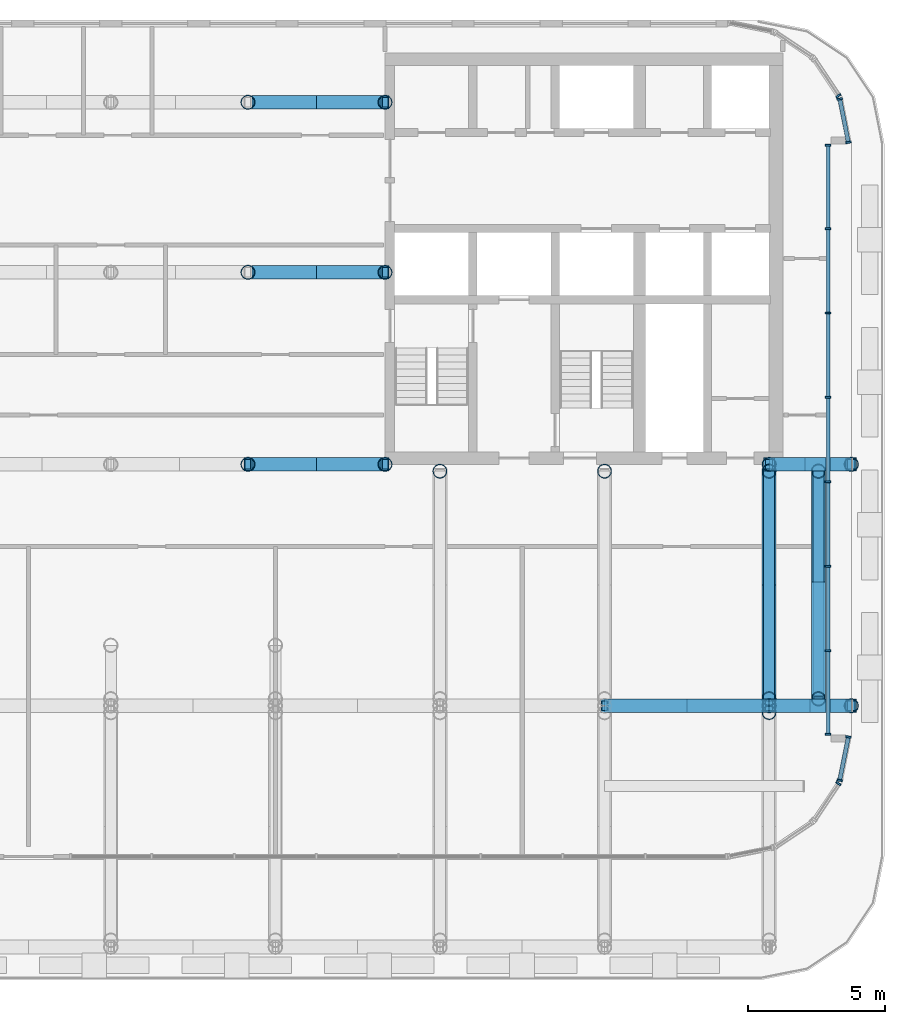
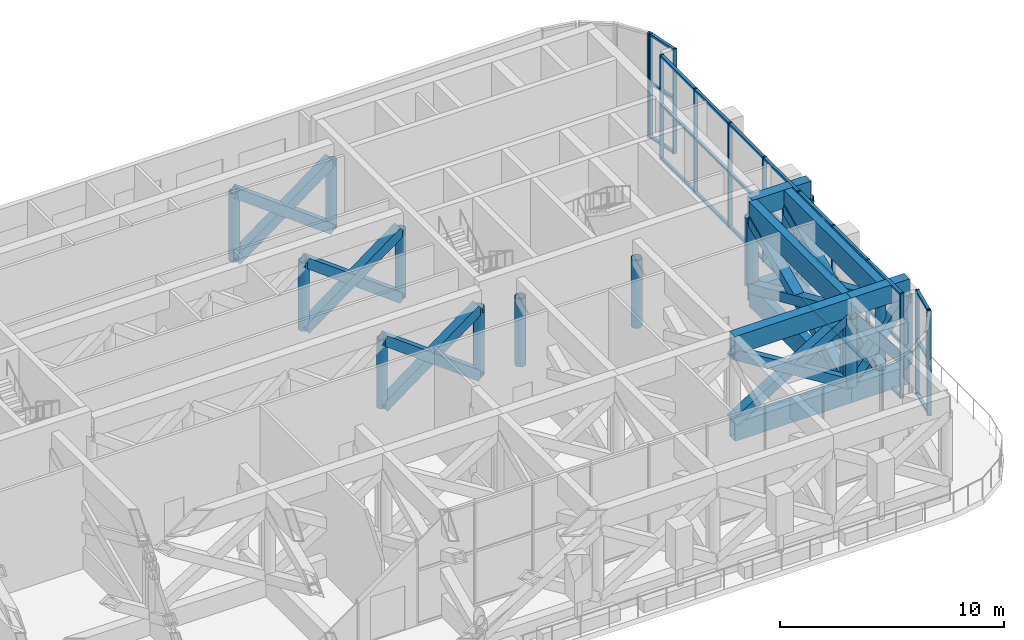
# One storey, part 5 of 20: 74 members, 10 beams, 5 elements without a shape of their own.
"""IFC4 building model written with IfcOpenShell, lengths in metres."""

from ifc_helpers import new_model, si_unit, direction, frame, origin, origin_2d, place, context, subcontext, project, spatial, rectangle, hollow_rectangle, hollow_circle, extrude, material, layer, layer_set, material_profile, profile_set, type_object, element, aggregate, save


model = new_model("IFC4")

# Units and contexts
model_context = context("Model", 3, precision=1e-05, world=origin(), true_north=direction((0.0, 1.0)))
body_context = subcontext(model_context, "Body", "Model", "MODEL_VIEW")
ifc_project = project(units=[si_unit("LENGTHUNIT", "METRE"), si_unit("AREAUNIT", "SQUARE_METRE"), si_unit("VOLUMEUNIT", "CUBIC_METRE"), si_unit("PLANEANGLEUNIT", "RADIAN"), si_unit("MASSUNIT", "GRAM", prefix="KILO")], contexts=[model_context])

# Site, building, storey
site_placement = place(None, origin())
site = spatial("IfcSite", under=ifc_project, at=site_placement, CompositionType="ELEMENT")
building_placement = place(site_placement, origin())
building = spatial("IfcBuilding", under=site, at=building_placement, Name="Torana Hotel and Residences", CompositionType="ELEMENT")
storey_placement = place(building_placement, frame((0.0, 0.0, 177.60009765625)))
storey = spatial("IfcBuildingStorey", under=building, at=storey_placement, Name="L46", CompositionType="ELEMENT", Elevation=177.60009765625)

# Curtain wall, members
ifc_material_1 = material(Name="Dark anodised aluminium", Category="aluminium")
ifc_layer = layer(ifc_material_1, 0.199951171875)
ifc_layer_set = layer_set([ifc_layer], Name="CW2 SKY LOBBY UNITISED CURTAIN WALL")
curtain_wall_type = type_object("IfcCurtainWallType", Name="CW2 SKY LOBBY UNITISED CURTAIN WALL", PredefinedType="NOTDEFINED", material=ifc_layer_set)
curtain_wall_1_placement = place(storey_placement, origin())
curtain_wall_1 = element("IfcCurtainWall", 1, at=curtain_wall_1_placement, inside=storey, type_object=curtain_wall_type, Name="Curtain wall CW2 L46 e0.0-1", PredefinedType="NOTDEFINED")
ifc_material_2 = material(Name="Dark anodised aluminium", Category="aluminium")
ifc_material_profile_1 = material_profile(ifc_material_2, rectangle(XDim=0.199951171875, YDim=0.070068359375, at=origin_2d()), Name="CW2 MULLION 70x200")
ifc_profile_set_1 = profile_set([ifc_material_profile_1], Name="Dark anodised aluminium")
member_type_1 = type_object("IfcMemberType", Name="CW2 MULLION 70x200", PredefinedType="MULLION", material=ifc_profile_set_1)
member_1_placement = place(storey_placement, frame((26.890380859375, -3.260986328125, 0.0), z_axis=(0.0, 0.0, 1.0), x_axis=(-0.980790545928, -0.195063848566, 0.0)))
member_1 = element("IfcMember", 2, at=member_1_placement, type_object=member_type_1, Name="CW2 mullion 1", PredefinedType="MULLION", context=body_context, shape_type="SweptSolid", body=[
    extrude(rectangle(XDim=0.199951171875, YDim=0.070068359375, at=origin_2d()), origin(), (0.0, 0.0, 1.0), 5.719970703125),
])
member_2_placement = place(storey_placement, frame((26.575927734375, -1.680419921875, 0.0), z_axis=(0.0, 0.0, 1.0), x_axis=(-0.980790545928, -0.195063848566, 0.0)))
member_2 = element("IfcMember", 3, at=member_2_placement, type_object=member_type_1, Name="CW2 mullion 2", PredefinedType="MULLION", context=body_context, shape_type="SweptSolid", body=[
    extrude(rectangle(XDim=0.199951171875, YDim=0.070068359375, at=origin_2d()), origin(), (0.0, 0.0, 1.0), 5.719970703125),
])

# Curtain wall, member
curtain_wall_2_placement = place(storey_placement, origin())
curtain_wall_2 = element("IfcCurtainWall", 4, at=curtain_wall_2_placement, inside=storey, type_object=curtain_wall_type, Name="Curtain wall CW2 L46 e0.1-1", PredefinedType="NOTDEFINED")
member_3_placement = place(storey_placement, frame((26.52734375, -1.56298828125, 0.0), z_axis=(0.0, 0.0, 1.0), x_axis=(-0.831473968618, -0.555563713278, 0.0)))
member_3 = element("IfcMember", 5, at=member_3_placement, type_object=member_type_1, Name="CW2 mullion 1", PredefinedType="MULLION", context=body_context, shape_type="SweptSolid", body=[
    extrude(rectangle(XDim=0.199951171875, YDim=0.070068359375, at=origin_2d()), origin(), (0.0, 0.0, 1.0), 5.719970703125),
])
aggregate(curtain_wall_2, [member_3])

curtain_wall_3_placement = place(storey_placement, origin())
curtain_wall_3 = element("IfcCurtainWall", 6, at=curtain_wall_3_placement, inside=storey, type_object=curtain_wall_type, Name="Curtain wall CW2 L46 e0.17-1", PredefinedType="NOTDEFINED")
member_4_placement = place(storey_placement, frame((26.52734375, -26.636962890625, 0.0), z_axis=(0.0, 0.0, 1.0), x_axis=(-0.831473968618, 0.555563713278, 0.0)))
member_4 = element("IfcMember", 7, at=member_4_placement, type_object=member_type_1, Name="CW2 mullion 2", PredefinedType="MULLION", context=body_context, shape_type="SweptSolid", body=[
    extrude(rectangle(XDim=0.199951171875, YDim=0.070068359375, at=origin_2d()), origin(), (0.0, 0.0, 1.0), 5.719970703125),
])
aggregate(curtain_wall_3, [member_4])

# Curtain wall, members
curtain_wall_4_placement = place(storey_placement, origin())
curtain_wall_4 = element("IfcCurtainWall", 8, at=curtain_wall_4_placement, inside=storey, type_object=curtain_wall_type, Name="Curtain wall CW2 L46 e0.18-1", PredefinedType="NOTDEFINED")
member_5_placement = place(storey_placement, frame((26.575927734375, -26.51953125, 0.0), z_axis=(0.0, 0.0, 1.0), x_axis=(-0.980790545928, 0.195063848566, 0.0)))
member_5 = element("IfcMember", 9, at=member_5_placement, type_object=member_type_1, Name="CW2 mullion 1", PredefinedType="MULLION", context=body_context, shape_type="SweptSolid", body=[
    extrude(rectangle(XDim=0.199951171875, YDim=0.070068359375, at=origin_2d()), origin(), (0.0, 0.0, 1.0), 5.719970703125),
])
member_6_placement = place(storey_placement, frame((26.890380859375, -24.93896484375, 0.0), z_axis=(0.0, 0.0, 1.0), x_axis=(-0.980790545928, 0.195063848566, 0.0)))
member_6 = element("IfcMember", 10, at=member_6_placement, type_object=member_type_1, Name="CW2 mullion 2", PredefinedType="MULLION", context=body_context, shape_type="SweptSolid", body=[
    extrude(rectangle(XDim=0.199951171875, YDim=0.070068359375, at=origin_2d()), origin(), (0.0, 0.0, 1.0), 5.719970703125),
])

curtain_wall_5_placement = place(storey_placement, origin())
curtain_wall_5 = element("IfcCurtainWall", 11, at=curtain_wall_5_placement, inside=storey, type_object=curtain_wall_type, Name="Curtain wall CW2 L46 e0.19-1", PredefinedType="NOTDEFINED")
member_7_placement = place(storey_placement, frame((26.155029296875, -24.84033203125, 0.0), z_axis=(0.0, 0.0, 1.0), x_axis=(-1.0, 0.0, 0.0)))
member_7 = element("IfcMember", 12, at=member_7_placement, type_object=member_type_1, Name="CW2 mullion 1", PredefinedType="MULLION", context=body_context, shape_type="SweptSolid", body=[
    extrude(rectangle(XDim=0.199951171875, YDim=0.070068359375, at=origin_2d()), origin(), (0.0, 0.0, 1.0), 5.719970703125),
])
member_8_placement = place(storey_placement, frame((26.155029296875, -21.796630859375, 0.0), z_axis=(0.0, 0.0, 1.0), x_axis=(-1.0, 0.0, 0.0)))
member_8 = element("IfcMember", 13, at=member_8_placement, type_object=member_type_1, Name="CW2 mullion 2", PredefinedType="MULLION", context=body_context, shape_type="SweptSolid", body=[
    extrude(rectangle(XDim=0.199951171875, YDim=0.070068359375, at=origin_2d()), origin(), (0.0, 0.0, 1.0), 5.719970703125),
])
member_9_placement = place(storey_placement, frame((26.155029296875, -18.718017578125, 0.0), z_axis=(0.0, 0.0, 1.0), x_axis=(-1.0, 0.0, 0.0)))
member_9 = element("IfcMember", 14, at=member_9_placement, type_object=member_type_1, Name="CW2 mullion 3", PredefinedType="MULLION", context=body_context, shape_type="SweptSolid", body=[
    extrude(rectangle(XDim=0.199951171875, YDim=0.070068359375, at=origin_2d()), origin(), (0.0, 0.0, 1.0), 5.719970703125),
])
member_10_placement = place(storey_placement, frame((26.155029296875, -15.639404296875, 0.0), z_axis=(0.0, 0.0, 1.0), x_axis=(-1.0, 0.0, 0.0)))
member_10 = element("IfcMember", 15, at=member_10_placement, type_object=member_type_1, Name="CW2 mullion 4", PredefinedType="MULLION", context=body_context, shape_type="SweptSolid", body=[
    extrude(rectangle(XDim=0.199951171875, YDim=0.070068359375, at=origin_2d()), origin(), (0.0, 0.0, 1.0), 5.719970703125),
])
member_11_placement = place(storey_placement, frame((26.155029296875, -12.560546875, 0.0), z_axis=(0.0, 0.0, 1.0), x_axis=(-1.0, 0.0, 0.0)))
member_11 = element("IfcMember", 16, at=member_11_placement, type_object=member_type_1, Name="CW2 mullion 5", PredefinedType="MULLION", context=body_context, shape_type="SweptSolid", body=[
    extrude(rectangle(XDim=0.199951171875, YDim=0.070068359375, at=origin_2d()), origin(), (0.0, 0.0, 1.0), 5.719970703125),
])
member_12_placement = place(storey_placement, frame((26.155029296875, -9.48193359375, 0.0), z_axis=(0.0, 0.0, 1.0), x_axis=(-1.0, 0.0, 0.0)))
member_12 = element("IfcMember", 17, at=member_12_placement, type_object=member_type_1, Name="CW2 mullion 6", PredefinedType="MULLION", context=body_context, shape_type="SweptSolid", body=[
    extrude(rectangle(XDim=0.199951171875, YDim=0.070068359375, at=origin_2d()), origin(), (0.0, 0.0, 1.0), 5.719970703125),
])
member_13_placement = place(storey_placement, frame((26.155029296875, -6.4033203125, 0.0), z_axis=(0.0, 0.0, 1.0), x_axis=(-1.0, 0.0, 0.0)))
member_13 = element("IfcMember", 18, at=member_13_placement, type_object=member_type_1, Name="CW2 mullion 7", PredefinedType="MULLION", context=body_context, shape_type="SweptSolid", body=[
    extrude(rectangle(XDim=0.199951171875, YDim=0.070068359375, at=origin_2d()), origin(), (0.0, 0.0, 1.0), 5.719970703125),
])
member_14_placement = place(storey_placement, frame((26.155029296875, -3.359619140625, 0.0), z_axis=(0.0, 0.0, 1.0), x_axis=(-1.0, 0.0, 0.0)))
member_14 = element("IfcMember", 19, at=member_14_placement, type_object=member_type_1, Name="CW2 mullion 8", PredefinedType="MULLION", context=body_context, shape_type="SweptSolid", body=[
    extrude(rectangle(XDim=0.199951171875, YDim=0.070068359375, at=origin_2d()), origin(), (0.0, 0.0, 1.0), 5.719970703125),
])

# Member
ifc_material_3 = material(Name="Dark anodised aluminium", Category="aluminium")
ifc_material_profile_2 = material_profile(ifc_material_3, rectangle(XDim=0.14990234375, YDim=0.1201171875, at=origin_2d()), Name="CW2 TRANSOM 150x120")
ifc_profile_set_2 = profile_set([ifc_material_profile_2], Name="Dark anodised aluminium")
member_type_2 = type_object("IfcMemberType", Name="CW2 TRANSOM 150x120", PredefinedType="USERDEFINED", material=ifc_profile_set_2)
member_15_placement = place(storey_placement, frame((26.883544921875, -3.226806640625, 0.059814453125), z_axis=(-0.19511099609, 0.980781167848, 0.0), x_axis=(-0.980781167848, -0.19511099609, 0.0)))
member_15 = element("IfcMember", 20, at=member_15_placement, type_object=member_type_2, Name="CW2 transom 1.1", ObjectType="TRANSOM", PredefinedType="USERDEFINED", context=body_context, shape_type="SweptSolid", body=[
    extrude(rectangle(XDim=0.14990234375, YDim=0.1201171875, at=origin_2d()), origin(), (0.0, 0.0, 1.0), 1.54150390625),
])

member_16_placement = place(storey_placement, frame((26.883544921875, -3.226806640625, 3.0), z_axis=(-0.19511099609, 0.980781167848, 0.0), x_axis=(-0.980781167848, -0.19511099609, 0.0)))
member_16 = element("IfcMember", 21, at=member_16_placement, type_object=member_type_2, Name="CW2 transom 1.2", ObjectType="TRANSOM", PredefinedType="USERDEFINED", context=body_context, shape_type="SweptSolid", body=[
    extrude(rectangle(XDim=0.14990234375, YDim=0.1201171875, at=origin_2d()), origin(), (0.0, 0.0, 1.0), 1.54150390625),
])

member_17_placement = place(storey_placement, frame((26.883544921875, -3.226806640625, 5.659912109375), z_axis=(-0.19511099609, 0.980781167848, 0.0), x_axis=(-0.980781167848, -0.19511099609, 0.0)))
member_17 = element("IfcMember", 22, at=member_17_placement, type_object=member_type_2, Name="CW2 transom 1.3", ObjectType="TRANSOM", PredefinedType="USERDEFINED", context=body_context, shape_type="SweptSolid", body=[
    extrude(rectangle(XDim=0.14990234375, YDim=0.1201171875, at=origin_2d()), origin(), (0.0, 0.0, 1.0), 1.54150390625),
])

aggregate(curtain_wall_1, [member_1, member_2, member_15, member_16, member_17])

member_18_placement = place(storey_placement, frame((26.582763671875, -26.485107421875, 0.059814453125), z_axis=(0.19511099609, 0.980781167848, 0.0), x_axis=(-0.980781167848, 0.19511099609, 0.0)))
member_18 = element("IfcMember", 23, at=member_18_placement, type_object=member_type_2, Name="CW2 transom 1.1", ObjectType="TRANSOM", PredefinedType="USERDEFINED", context=body_context, shape_type="SweptSolid", body=[
    extrude(rectangle(XDim=0.14990234375, YDim=0.1201171875, at=origin_2d()), origin(), (0.0, 0.0, 1.0), 1.54150390625),
])

member_19_placement = place(storey_placement, frame((26.582763671875, -26.485107421875, 3.0), z_axis=(0.19511099609, 0.980781167848, 0.0), x_axis=(-0.980781167848, 0.19511099609, 0.0)))
member_19 = element("IfcMember", 24, at=member_19_placement, type_object=member_type_2, Name="CW2 transom 1.2", ObjectType="TRANSOM", PredefinedType="USERDEFINED", context=body_context, shape_type="SweptSolid", body=[
    extrude(rectangle(XDim=0.14990234375, YDim=0.1201171875, at=origin_2d()), origin(), (0.0, 0.0, 1.0), 1.54150390625),
])

member_20_placement = place(storey_placement, frame((26.582763671875, -26.485107421875, 5.659912109375), z_axis=(0.19511099609, 0.980781167848, 0.0), x_axis=(-0.980781167848, 0.19511099609, 0.0)))
member_20 = element("IfcMember", 25, at=member_20_placement, type_object=member_type_2, Name="CW2 transom 1.3", ObjectType="TRANSOM", PredefinedType="USERDEFINED", context=body_context, shape_type="SweptSolid", body=[
    extrude(rectangle(XDim=0.14990234375, YDim=0.1201171875, at=origin_2d()), origin(), (0.0, 0.0, 1.0), 1.54150390625),
])

aggregate(curtain_wall_4, [member_5, member_6, member_18, member_19, member_20])

member_21_placement = place(storey_placement, frame((26.155029296875, -24.805419921875, 0.059814453125), z_axis=(0.0, 1.0, 0.0), x_axis=(-1.0, 0.0, 0.0)))
member_21 = element("IfcMember", 26, at=member_21_placement, type_object=member_type_2, Name="CW2 transom 1.1", ObjectType="TRANSOM", PredefinedType="USERDEFINED", context=body_context, shape_type="SweptSolid", body=[
    extrude(rectangle(XDim=0.14990234375, YDim=0.1201171875, at=origin_2d()), origin(), (0.0, 0.0, 1.0), 2.9736328125),
])

member_22_placement = place(storey_placement, frame((26.155029296875, -24.805419921875, 3.0), z_axis=(0.0, 1.0, 0.0), x_axis=(-1.0, 0.0, 0.0)))
member_22 = element("IfcMember", 27, at=member_22_placement, type_object=member_type_2, Name="CW2 transom 1.2", ObjectType="TRANSOM", PredefinedType="USERDEFINED", context=body_context, shape_type="SweptSolid", body=[
    extrude(rectangle(XDim=0.14990234375, YDim=0.1201171875, at=origin_2d()), origin(), (0.0, 0.0, 1.0), 2.9736328125),
])

member_23_placement = place(storey_placement, frame((26.155029296875, -24.805419921875, 5.659912109375), z_axis=(0.0, 1.0, 0.0), x_axis=(-1.0, 0.0, 0.0)))
member_23 = element("IfcMember", 28, at=member_23_placement, type_object=member_type_2, Name="CW2 transom 1.3", ObjectType="TRANSOM", PredefinedType="USERDEFINED", context=body_context, shape_type="SweptSolid", body=[
    extrude(rectangle(XDim=0.14990234375, YDim=0.1201171875, at=origin_2d()), origin(), (0.0, 0.0, 1.0), 2.9736328125),
])

member_24_placement = place(storey_placement, frame((26.155029296875, -21.76171875, 0.059814453125), z_axis=(0.0, 1.0, 0.0), x_axis=(-1.0, 0.0, 0.0)))
member_24 = element("IfcMember", 29, at=member_24_placement, type_object=member_type_2, Name="CW2 transom 2.1", ObjectType="TRANSOM", PredefinedType="USERDEFINED", context=body_context, shape_type="SweptSolid", body=[
    extrude(rectangle(XDim=0.14990234375, YDim=0.1201171875, at=origin_2d()), origin(), (0.0, 0.0, 1.0), 3.0087890625),
])

member_25_placement = place(storey_placement, frame((26.155029296875, -21.76171875, 3.0), z_axis=(0.0, 1.0, 0.0), x_axis=(-1.0, 0.0, 0.0)))
member_25 = element("IfcMember", 30, at=member_25_placement, type_object=member_type_2, Name="CW2 transom 2.2", ObjectType="TRANSOM", PredefinedType="USERDEFINED", context=body_context, shape_type="SweptSolid", body=[
    extrude(rectangle(XDim=0.14990234375, YDim=0.1201171875, at=origin_2d()), origin(), (0.0, 0.0, 1.0), 3.0087890625),
])

member_26_placement = place(storey_placement, frame((26.155029296875, -21.76171875, 5.659912109375), z_axis=(0.0, 1.0, 0.0), x_axis=(-1.0, 0.0, 0.0)))
member_26 = element("IfcMember", 31, at=member_26_placement, type_object=member_type_2, Name="CW2 transom 2.3", ObjectType="TRANSOM", PredefinedType="USERDEFINED", context=body_context, shape_type="SweptSolid", body=[
    extrude(rectangle(XDim=0.14990234375, YDim=0.1201171875, at=origin_2d()), origin(), (0.0, 0.0, 1.0), 3.0087890625),
])

member_27_placement = place(storey_placement, frame((26.155029296875, -18.68310546875, 0.059814453125), z_axis=(0.0, 1.0, 0.0), x_axis=(-1.0, 0.0, 0.0)))
member_27 = element("IfcMember", 32, at=member_27_placement, type_object=member_type_2, Name="CW2 transom 3.1", ObjectType="TRANSOM", PredefinedType="USERDEFINED", context=body_context, shape_type="SweptSolid", body=[
    extrude(rectangle(XDim=0.14990234375, YDim=0.1201171875, at=origin_2d()), origin(), (0.0, 0.0, 1.0), 3.0087890625),
])

member_28_placement = place(storey_placement, frame((26.155029296875, -18.68310546875, 3.0), z_axis=(0.0, 1.0, 0.0), x_axis=(-1.0, 0.0, 0.0)))
member_28 = element("IfcMember", 33, at=member_28_placement, type_object=member_type_2, Name="CW2 transom 3.2", ObjectType="TRANSOM", PredefinedType="USERDEFINED", context=body_context, shape_type="SweptSolid", body=[
    extrude(rectangle(XDim=0.14990234375, YDim=0.1201171875, at=origin_2d()), origin(), (0.0, 0.0, 1.0), 3.0087890625),
])

member_29_placement = place(storey_placement, frame((26.155029296875, -18.68310546875, 5.659912109375), z_axis=(0.0, 1.0, 0.0), x_axis=(-1.0, 0.0, 0.0)))
member_29 = element("IfcMember", 34, at=member_29_placement, type_object=member_type_2, Name="CW2 transom 3.3", ObjectType="TRANSOM", PredefinedType="USERDEFINED", context=body_context, shape_type="SweptSolid", body=[
    extrude(rectangle(XDim=0.14990234375, YDim=0.1201171875, at=origin_2d()), origin(), (0.0, 0.0, 1.0), 3.0087890625),
])

member_30_placement = place(storey_placement, frame((26.155029296875, -15.604248046875, 0.059814453125), z_axis=(0.0, 1.0, 0.0), x_axis=(-1.0, 0.0, 0.0)))
member_30 = element("IfcMember", 35, at=member_30_placement, type_object=member_type_2, Name="CW2 transom 4.1", ObjectType="TRANSOM", PredefinedType="USERDEFINED", context=body_context, shape_type="SweptSolid", body=[
    extrude(rectangle(XDim=0.14990234375, YDim=0.1201171875, at=origin_2d()), origin(), (0.0, 0.0, 1.0), 3.008544921875),
])

member_31_placement = place(storey_placement, frame((26.155029296875, -15.604248046875, 3.0), z_axis=(0.0, 1.0, 0.0), x_axis=(-1.0, 0.0, 0.0)))
member_31 = element("IfcMember", 36, at=member_31_placement, type_object=member_type_2, Name="CW2 transom 4.2", ObjectType="TRANSOM", PredefinedType="USERDEFINED", context=body_context, shape_type="SweptSolid", body=[
    extrude(rectangle(XDim=0.14990234375, YDim=0.1201171875, at=origin_2d()), origin(), (0.0, 0.0, 1.0), 3.008544921875),
])

member_32_placement = place(storey_placement, frame((26.155029296875, -15.604248046875, 5.659912109375), z_axis=(0.0, 1.0, 0.0), x_axis=(-1.0, 0.0, 0.0)))
member_32 = element("IfcMember", 37, at=member_32_placement, type_object=member_type_2, Name="CW2 transom 4.3", ObjectType="TRANSOM", PredefinedType="USERDEFINED", context=body_context, shape_type="SweptSolid", body=[
    extrude(rectangle(XDim=0.14990234375, YDim=0.1201171875, at=origin_2d()), origin(), (0.0, 0.0, 1.0), 3.008544921875),
])

member_33_placement = place(storey_placement, frame((26.155029296875, -12.525634765625, 0.059814453125), z_axis=(0.0, 1.0, 0.0), x_axis=(-1.0, 0.0, 0.0)))
member_33 = element("IfcMember", 38, at=member_33_placement, type_object=member_type_2, Name="CW2 transom 5.1", ObjectType="TRANSOM", PredefinedType="USERDEFINED", context=body_context, shape_type="SweptSolid", body=[
    extrude(rectangle(XDim=0.14990234375, YDim=0.1201171875, at=origin_2d()), origin(), (0.0, 0.0, 1.0), 3.008544921875),
])

member_34_placement = place(storey_placement, frame((26.155029296875, -12.525634765625, 3.0), z_axis=(0.0, 1.0, 0.0), x_axis=(-1.0, 0.0, 0.0)))
member_34 = element("IfcMember", 39, at=member_34_placement, type_object=member_type_2, Name="CW2 transom 5.2", ObjectType="TRANSOM", PredefinedType="USERDEFINED", context=body_context, shape_type="SweptSolid", body=[
    extrude(rectangle(XDim=0.14990234375, YDim=0.1201171875, at=origin_2d()), origin(), (0.0, 0.0, 1.0), 3.008544921875),
])

member_35_placement = place(storey_placement, frame((26.155029296875, -12.525634765625, 5.659912109375), z_axis=(0.0, 1.0, 0.0), x_axis=(-1.0, 0.0, 0.0)))
member_35 = element("IfcMember", 40, at=member_35_placement, type_object=member_type_2, Name="CW2 transom 5.3", ObjectType="TRANSOM", PredefinedType="USERDEFINED", context=body_context, shape_type="SweptSolid", body=[
    extrude(rectangle(XDim=0.14990234375, YDim=0.1201171875, at=origin_2d()), origin(), (0.0, 0.0, 1.0), 3.008544921875),
])

member_36_placement = place(storey_placement, frame((26.155029296875, -9.447021484375, 0.059814453125), z_axis=(0.0, 1.0, 0.0), x_axis=(-1.0, 0.0, 0.0)))
member_36 = element("IfcMember", 41, at=member_36_placement, type_object=member_type_2, Name="CW2 transom 6.1", ObjectType="TRANSOM", PredefinedType="USERDEFINED", context=body_context, shape_type="SweptSolid", body=[
    extrude(rectangle(XDim=0.14990234375, YDim=0.1201171875, at=origin_2d()), origin(), (0.0, 0.0, 1.0), 3.0087890625),
])

member_37_placement = place(storey_placement, frame((26.155029296875, -9.447021484375, 3.0), z_axis=(0.0, 1.0, 0.0), x_axis=(-1.0, 0.0, 0.0)))
member_37 = element("IfcMember", 42, at=member_37_placement, type_object=member_type_2, Name="CW2 transom 6.2", ObjectType="TRANSOM", PredefinedType="USERDEFINED", context=body_context, shape_type="SweptSolid", body=[
    extrude(rectangle(XDim=0.14990234375, YDim=0.1201171875, at=origin_2d()), origin(), (0.0, 0.0, 1.0), 3.0087890625),
])

member_38_placement = place(storey_placement, frame((26.155029296875, -9.447021484375, 5.659912109375), z_axis=(0.0, 1.0, 0.0), x_axis=(-1.0, 0.0, 0.0)))
member_38 = element("IfcMember", 43, at=member_38_placement, type_object=member_type_2, Name="CW2 transom 6.3", ObjectType="TRANSOM", PredefinedType="USERDEFINED", context=body_context, shape_type="SweptSolid", body=[
    extrude(rectangle(XDim=0.14990234375, YDim=0.1201171875, at=origin_2d()), origin(), (0.0, 0.0, 1.0), 3.0087890625),
])

member_39_placement = place(storey_placement, frame((26.155029296875, -6.3681640625, 0.059814453125), z_axis=(0.0, 1.0, 0.0), x_axis=(-1.0, 0.0, 0.0)))
member_39 = element("IfcMember", 44, at=member_39_placement, type_object=member_type_2, Name="CW2 transom 7.1", ObjectType="TRANSOM", PredefinedType="USERDEFINED", context=body_context, shape_type="SweptSolid", body=[
    extrude(rectangle(XDim=0.14990234375, YDim=0.1201171875, at=origin_2d()), origin(), (0.0, 0.0, 1.0), 2.9736328125),
])

member_40_placement = place(storey_placement, frame((26.155029296875, -6.3681640625, 3.0), z_axis=(0.0, 1.0, 0.0), x_axis=(-1.0, 0.0, 0.0)))
member_40 = element("IfcMember", 45, at=member_40_placement, type_object=member_type_2, Name="CW2 transom 7.2", ObjectType="TRANSOM", PredefinedType="USERDEFINED", context=body_context, shape_type="SweptSolid", body=[
    extrude(rectangle(XDim=0.14990234375, YDim=0.1201171875, at=origin_2d()), origin(), (0.0, 0.0, 1.0), 2.9736328125),
])

member_41_placement = place(storey_placement, frame((26.155029296875, -6.3681640625, 5.659912109375), z_axis=(0.0, 1.0, 0.0), x_axis=(-1.0, 0.0, 0.0)))
member_41 = element("IfcMember", 46, at=member_41_placement, type_object=member_type_2, Name="CW2 transom 7.3", ObjectType="TRANSOM", PredefinedType="USERDEFINED", context=body_context, shape_type="SweptSolid", body=[
    extrude(rectangle(XDim=0.14990234375, YDim=0.1201171875, at=origin_2d()), origin(), (0.0, 0.0, 1.0), 2.9736328125),
])

aggregate(curtain_wall_5, [member_7, member_8, member_9, member_10, member_11, member_12, member_13, member_14, member_21, member_22, member_23, member_24, member_25, member_26, member_27, member_28, member_29, member_30, member_31, member_32, member_33, member_34, member_35, member_36, member_37, member_38, member_39, member_40, member_41])

# Beams
ifc_material_4 = material(Name="Steel S355", Category="steel")
ifc_material_profile_3 = material_profile(ifc_material_4, hollow_rectangle(XDim=0.5, YDim=1.0, WallThickness=0.050048828125, at=origin_2d()), Name="BOX 1000x500x50")
ifc_profile_set_3 = profile_set([ifc_material_profile_3], Name="Steel S355")
beam_type_1 = type_object("IfcBeamType", Name="STEEL CHORD BOX 1000x500x50", PredefinedType="BEAM", material=ifc_profile_set_3)
for number, where, z_axis, x_axis, name in (
    (47, (18.0, -23.800048828125, 0.5), (1.0, 0.0, 0.0), (0.0, 1.0, 0.0), "Transfer chord L46"),
    (48, (18.0, -23.800048828125, 5.219970703125), (1.0, 0.0, 0.0), (0.0, 1.0, 0.0), "Transfer chord L46"),
):
    element("IfcBeam", number, at=place(storey_placement, frame(where, z_axis=z_axis, x_axis=x_axis)), inside=storey, type_object=beam_type_1, Name=name, PredefinedType="BEAM", context=body_context, shape_type="SweptSolid", body=[
        extrude(hollow_rectangle(XDim=0.5, YDim=1.0, WallThickness=0.050048828125, at=origin_2d()), origin(), (0.0, 0.0, 1.0), 6.0),
    ])
for number, where, z_axis, x_axis, name in (
    (49, (24.0, -23.800048828125, 0.5), (1.0, 0.0, 0.0), (0.0, 1.0, 0.0), "Transfer chord L46"),
    (50, (24.0, -23.800048828125, 5.219970703125), (1.0, 0.0, 0.0), (0.0, 1.0, 0.0), "Transfer chord L46"),
    (51, (24.0, -15.0, 0.5), (1.0, 0.0, 0.0), (0.0, 1.0, 0.0), "Transfer chord L46"),
    (52, (24.0, -15.0, 5.219970703125), (1.0, 0.0, 0.0), (0.0, 1.0, 0.0), "Transfer chord L46"),
):
    element("IfcBeam", number, at=place(storey_placement, frame(where, z_axis=z_axis, x_axis=x_axis)), inside=storey, type_object=beam_type_1, Name=name, PredefinedType="BEAM", context=body_context, shape_type="SweptSolid", body=[
        extrude(hollow_rectangle(XDim=0.5, YDim=1.0, WallThickness=0.050048828125, at=origin_2d()), origin(), (0.0, 0.0, 1.0), 3.0),
    ])
ifc_material_5 = material(Name="Steel S355", Category="steel")
ifc_material_profile_4 = material_profile(ifc_material_5, hollow_rectangle(XDim=0.39990234375, YDim=1.199951171875, WallThickness=0.0400390625, at=origin_2d()), Name="BOX 1200x400x40")
ifc_profile_set_4 = profile_set([ifc_material_profile_4], Name="Steel S355")
beam_type_2 = type_object("IfcBeamType", Name="STEEL CHORD BOX 1200x400x40", PredefinedType="BEAM", material=ifc_profile_set_4)
for number, where, z_axis, x_axis, name in (
    (53, (24.0, -23.550048828125, 0.599853515625), (0.0, 1.0, 0.0), (-1.0, 0.0, 0.0), "Transfer chord L46"),
    (54, (24.0, -23.550048828125, 5.119873046875), (0.0, 1.0, 0.0), (-1.0, 0.0, 0.0), "Transfer chord L46"),
    (55, (25.800048828125, -23.550048828125, 0.599853515625), (0.0, 1.0, 0.0), (-1.0, 0.0, 0.0), "Transfer chord L46"),
    (56, (25.800048828125, -23.550048828125, 5.119873046875), (0.0, 1.0, 0.0), (-1.0, 0.0, 0.0), "Transfer chord L46"),
):
    element("IfcBeam", number, at=place(storey_placement, frame(where, z_axis=z_axis, x_axis=x_axis)), inside=storey, type_object=beam_type_2, Name=name, PredefinedType="BEAM", context=body_context, shape_type="SweptSolid", body=[
        extrude(hollow_rectangle(XDim=0.39990234375, YDim=1.199951171875, WallThickness=0.0400390625, at=origin_2d()), origin(), (0.0, 0.0, 1.0), 8.300048828125),
    ])

# Members
ifc_material_6 = material(Name="Steel S355", Category="steel")
ifc_material_profile_5 = material_profile(ifc_material_6, hollow_rectangle(XDim=0.5, YDim=0.5, WallThickness=0.080078125, at=origin_2d()), Name="BOX 500x500x80")
ifc_profile_set_5 = profile_set([ifc_material_profile_5], Name="Steel S355")
member_type_3 = type_object("IfcMemberType", Name="STEEL DIAGONAL BOX 500x500x80", PredefinedType="BRACE", material=ifc_profile_set_5)
for number, where, z_axis, x_axis, name in (
    (57, (5.0, -15.0, 1.0), (0.802306956603, 0.0, 0.596911674695), (0.0, 1.0, 0.0), "Truss diagonal L46"),
    (58, (10.0, -15.0, 1.0), (-0.802306956603, 0.0, 0.596911674695), (0.0, -1.0, 0.0), "Truss diagonal L46"),
    (59, (5.0, -8.0, 1.0), (0.802306956603, 0.0, 0.596911674695), (0.0, 1.0, 0.0), "Truss diagonal L46"),
    (60, (10.0, -8.0, 1.0), (-0.802306956603, 0.0, 0.596911674695), (0.0, -1.0, 0.0), "Truss diagonal L46"),
    (61, (5.0, -1.800048828125, 1.0), (0.802306956603, 0.0, 0.596911674695), (0.0, 1.0, 0.0), "Truss diagonal L46"),
    (62, (10.0, -1.800048828125, 1.0), (-0.802306956603, 0.0, 0.596911674695), (0.0, -1.0, 0.0), "Truss diagonal L46"),
):
    element("IfcMember", number, at=place(storey_placement, frame(where, z_axis=z_axis, x_axis=x_axis)), inside=storey, type_object=member_type_3, Name=name, PredefinedType="BRACE", context=body_context, shape_type="SweptSolid", body=[
        extrude(hollow_rectangle(XDim=0.5, YDim=0.5, WallThickness=0.080078125, at=origin_2d()), origin(), (0.0, 0.0, 1.0), 6.23193359375),
    ])
for number, where, z_axis, x_axis, name in (
    (63, (18.0, -23.800048828125, 1.0), (0.84990455024, 0.0, 0.526936671224), (0.0, 1.0, 0.0), "Truss diagonal L46"),
    (64, (24.0, -23.800048828125, 1.0), (-0.84990455024, 0.0, 0.526936671224), (0.0, -1.0, 0.0), "Truss diagonal L46"),
):
    element("IfcMember", number, at=place(storey_placement, frame(where, z_axis=z_axis, x_axis=x_axis)), inside=storey, type_object=member_type_3, Name=name, PredefinedType="BRACE", context=body_context, shape_type="SweptSolid", body=[
        extrude(hollow_rectangle(XDim=0.5, YDim=0.5, WallThickness=0.080078125, at=origin_2d()), origin(), (0.0, 0.0, 1.0), 7.0595703125),
    ])
for number, where, z_axis, x_axis, name in (
    (65, (24.0, -23.800048828125, 1.0), (0.627755446821, 0.0, 0.778410623634), (0.0, 1.0, 0.0), "Truss diagonal L46"),
    (66, (27.0, -23.800048828125, 1.0), (-0.627755446821, 0.0, 0.778410623634), (0.0, -1.0, 0.0), "Truss diagonal L46"),
):
    element("IfcMember", number, at=place(storey_placement, frame(where, z_axis=z_axis, x_axis=x_axis)), inside=storey, type_object=member_type_3, Name=name, PredefinedType="BRACE", context=body_context, shape_type="SweptSolid", body=[
        extrude(hollow_rectangle(XDim=0.5, YDim=0.5, WallThickness=0.080078125, at=origin_2d()), origin(), (0.0, 0.0, 1.0), 4.779052734375),
    ])
member_42_placement = place(storey_placement, frame((25.5, -15.0, 2.85986328125), z_axis=(0.627730483815, 0.0, 0.778430754588), x_axis=(0.0, 1.0, 0.0)))
element("IfcMember", 67, at=member_42_placement, inside=storey, type_object=member_type_3, Name="Truss diagonal L46", PredefinedType="BRACE", context=body_context, shape_type="SweptSolid", body=[
    extrude(hollow_rectangle(XDim=0.5, YDim=0.5, WallThickness=0.080078125, at=origin_2d()), origin(), (0.0, 0.0, 1.0), 2.3896484375),
])
member_43_placement = place(storey_placement, frame((27.0, -15.0, 1.0), z_axis=(-0.627755446821, 0.0, 0.778410623634), x_axis=(0.0, -1.0, 0.0)))
element("IfcMember", 68, at=member_43_placement, inside=storey, type_object=member_type_3, Name="Truss diagonal L46", PredefinedType="BRACE", context=body_context, shape_type="SweptSolid", body=[
    extrude(hollow_rectangle(XDim=0.5, YDim=0.5, WallThickness=0.080078125, at=origin_2d()), origin(), (0.0, 0.0, 1.0), 4.779052734375),
])
for number, where, z_axis, x_axis, name in (
    (69, (24.0, -23.550048828125, 1.0), (0.0, 0.912539724952, 0.408988080981), (-1.0, 0.0, 0.0), "Truss diagonal L46"),
    (70, (24.0, -15.25, 1.0), (0.0, -0.912539724952, 0.408988080981), (1.0, 0.0, 0.0), "Truss diagonal L46"),
    (71, (25.800048828125, -23.550048828125, 1.0), (0.0, 0.912539724952, 0.408988080981), (-1.0, 0.0, 0.0), "Truss diagonal L46"),
):
    element("IfcMember", number, at=place(storey_placement, frame(where, z_axis=z_axis, x_axis=x_axis)), inside=storey, type_object=member_type_3, Name=name, PredefinedType="BRACE", context=body_context, shape_type="SweptSolid", body=[
        extrude(hollow_rectangle(XDim=0.5, YDim=0.5, WallThickness=0.080078125, at=origin_2d()), origin(), (0.0, 0.0, 1.0), 9.095458984375),
    ])
member_44_placement = place(storey_placement, frame((25.800048828125, -19.39990234375, 2.85986328125), z_axis=(0.0, -0.912534197093, 0.409000414592), x_axis=(1.0, 0.0, 0.0)))
element("IfcMember", 72, at=member_44_placement, inside=storey, type_object=member_type_3, Name="Truss diagonal L46", PredefinedType="BRACE", context=body_context, shape_type="SweptSolid", body=[
    extrude(hollow_rectangle(XDim=0.5, YDim=0.5, WallThickness=0.080078125, at=origin_2d()), origin(), (0.0, 0.0, 1.0), 4.5478515625),
])
ifc_material_7 = material(Name="Steel S355", Category="steel")
ifc_material_profile_6 = material_profile(ifc_material_7, hollow_circle(Radius=0.25390625, WallThickness=0.01611328125, at=origin_2d()), Name="508x16 CHS")
ifc_profile_set_6 = profile_set([ifc_material_profile_6], Name="Steel S355")
member_type_4 = type_object("IfcMemberType", Name="STEEL POST 508x16 CHS", PredefinedType="POST", material=ifc_profile_set_6)
for number, where, z_axis, x_axis, name in (
    (73, (24.0, -23.800048828125, 1.0), (0.0, 0.0, 1.0), (1.0, 0.0, 0.0), "Truss post L46"),
    (74, (27.0, -23.800048828125, 1.0), (0.0, 0.0, 1.0), (1.0, 0.0, 0.0), "Truss post L46"),
    (75, (24.0, -15.0, 1.0), (0.0, 0.0, 1.0), (1.0, 0.0, 0.0), "Truss post L46"),
    (76, (27.0, -15.0, 1.0), (0.0, 0.0, 1.0), (1.0, 0.0, 0.0), "Truss post L46"),
    (77, (12.0, -15.25, 1.0), (0.0, 0.0, 1.0), (1.0, 0.0, 0.0), "Truss post L46"),
    (78, (18.0, -15.25, 1.0), (0.0, 0.0, 1.0), (1.0, 0.0, 0.0), "Truss post L46"),
    (79, (24.0, -24.050048828125, 1.0), (0.0, 0.0, 1.0), (1.0, 0.0, 0.0), "Truss post L46"),
    (80, (24.0, -23.550048828125, 1.0), (0.0, 0.0, 1.0), (1.0, 0.0, 0.0), "Truss post L46"),
    (81, (24.0, -15.25, 1.0), (0.0, 0.0, 1.0), (1.0, 0.0, 0.0), "Truss post L46"),
    (82, (25.800048828125, -23.550048828125, 1.0), (0.0, 0.0, 1.0), (1.0, 0.0, 0.0), "Truss post L46"),
    (83, (25.800048828125, -15.25, 1.0), (0.0, 0.0, 1.0), (1.0, 0.0, 0.0), "Truss post L46"),
    (84, (10.0, -15.0, 1.0), (0.0, 0.0, 1.0), (1.0, 0.0, 0.0), "Truss post L46"),
    (85, (10.0, -8.0, 1.0), (0.0, 0.0, 1.0), (1.0, 0.0, 0.0), "Truss post L46"),
    (86, (10.0, -1.800048828125, 1.0), (0.0, 0.0, 1.0), (1.0, 0.0, 0.0), "Truss post L46"),
    (87, (5.0, -15.0, 1.0), (0.0, 0.0, 1.0), (1.0, 0.0, 0.0), "Truss post L46"),
    (88, (5.0, -8.0, 1.0), (0.0, 0.0, 1.0), (1.0, 0.0, 0.0), "Truss post L46"),
    (89, (5.0, -1.800048828125, 1.0), (0.0, 0.0, 1.0), (1.0, 0.0, 0.0), "Truss post L46"),
):
    element("IfcMember", number, at=place(storey_placement, frame(where, z_axis=z_axis, x_axis=x_axis)), inside=storey, type_object=member_type_4, Name=name, PredefinedType="POST", context=body_context, shape_type="SweptSolid", body=[
        extrude(hollow_circle(Radius=0.25390625, WallThickness=0.01611328125, at=origin_2d()), origin(), (0.0, 0.0, 1.0), 3.719970703125),
    ])

save(model, "model.ifc")
